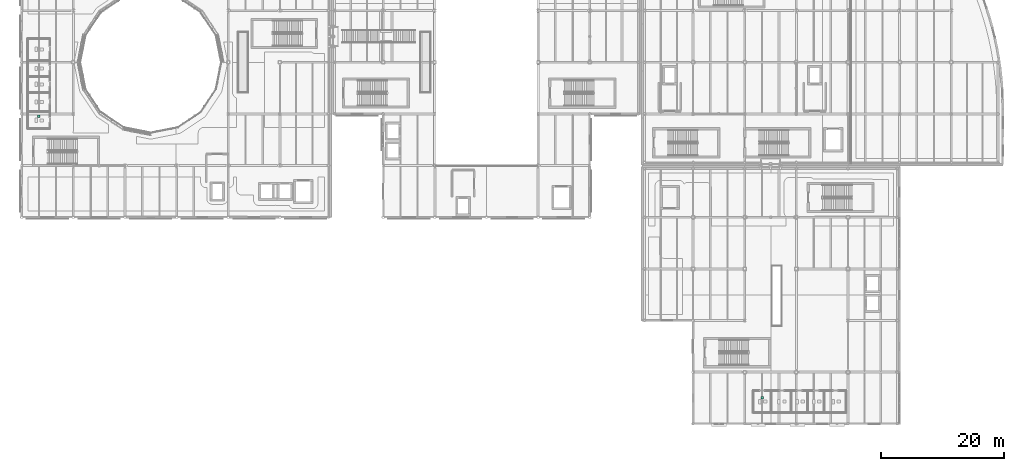
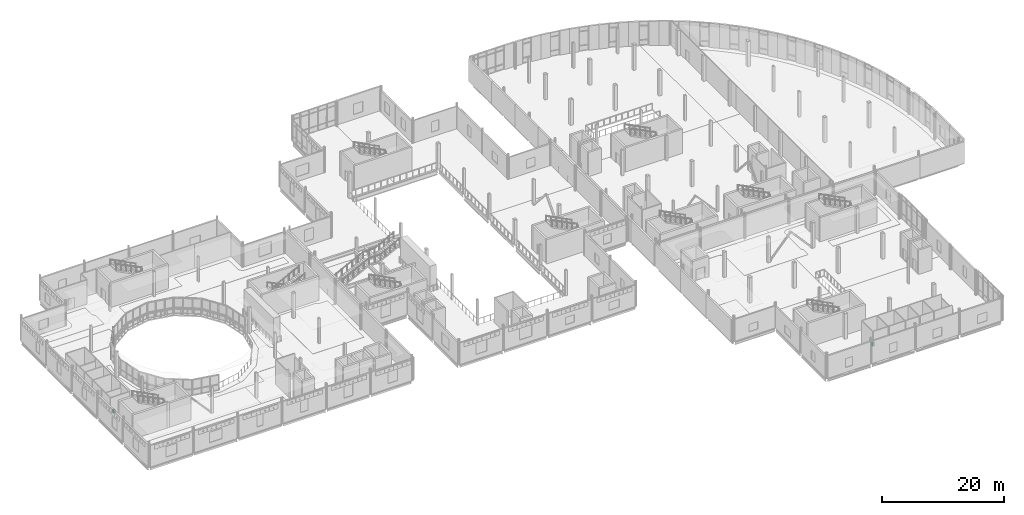
# One storey, part 103 of 104: 2 sanitary terminals.
"""IFC4 building model written with IfcOpenShell, lengths in metres."""

from ifc_helpers import new_model, si_unit, direction, frame, origin, origin_2d, place, context, subcontext, project, spatial, rectangle, extrude, material, type_object, element, save


model = new_model("IFC4")

# Units and contexts
model_context = context("Model", 3, precision=1e-05, world=origin(), true_north=direction((0.0, 1.0)))
body_context = subcontext(model_context, "Body", "Model", "MODEL_VIEW")
ifc_project = project(units=[si_unit("LENGTHUNIT", "METRE"), si_unit("AREAUNIT", "SQUARE_METRE"), si_unit("VOLUMEUNIT", "CUBIC_METRE"), si_unit("PLANEANGLEUNIT", "RADIAN"), si_unit("MASSUNIT", "GRAM", prefix="KILO"), si_unit("THERMODYNAMICTEMPERATUREUNIT", "KELVIN")], contexts=[model_context])

# Site, building, storey
site_placement = place(None, origin())
site = spatial("IfcSite", under=ifc_project, at=site_placement, CompositionType="ELEMENT")
building_placement = place(site_placement, origin())
building = spatial("IfcBuilding", under=site, at=building_placement, Name="Lustrewick Department Store", CompositionType="ELEMENT")
storey_placement = place(building_placement, frame((0.0, 0.0, 11.39990234375)))
storey = spatial("IfcBuildingStorey", under=building, at=storey_placement, Name="L03", CompositionType="ELEMENT", Elevation=11.39990234375)

# Sanitary terminals
ifc_material = material(Name="Glazed white vitreous china sanitaryware", Category="masonry")
sanitary_terminal_type = type_object("IfcSanitaryTerminalType", Name="SAN-URI", PredefinedType="URINAL", material=ifc_material)
for number, where, z_axis, x_axis, name in (
    (1, (11.199951171875, 58.419921875, 0.0), (0.0, 0.0, 1.0), (1.0, 0.0, 0.0), "L03 Male Public WC Urinal"),
    (2, (128.8701171875, 12.64990234375, 0.0), (0.0, 0.0, 1.0), (1.0, 0.0, 0.0), "L03 Male Public WC Urinal"),
):
    element("IfcSanitaryTerminal", number, at=place(storey_placement, frame(where, z_axis=z_axis, x_axis=x_axis)), inside=storey, type_object=sanitary_terminal_type, Name=name, PredefinedType="URINAL", context=body_context, shape_type="SweptSolid", body=[
        extrude(rectangle(XDim=0.3798828125, YDim=0.360107421875, at=origin_2d()), origin(), (0.0, 0.0, 1.0), 0.679931640625),
    ])

save(model, "model.ifc")
